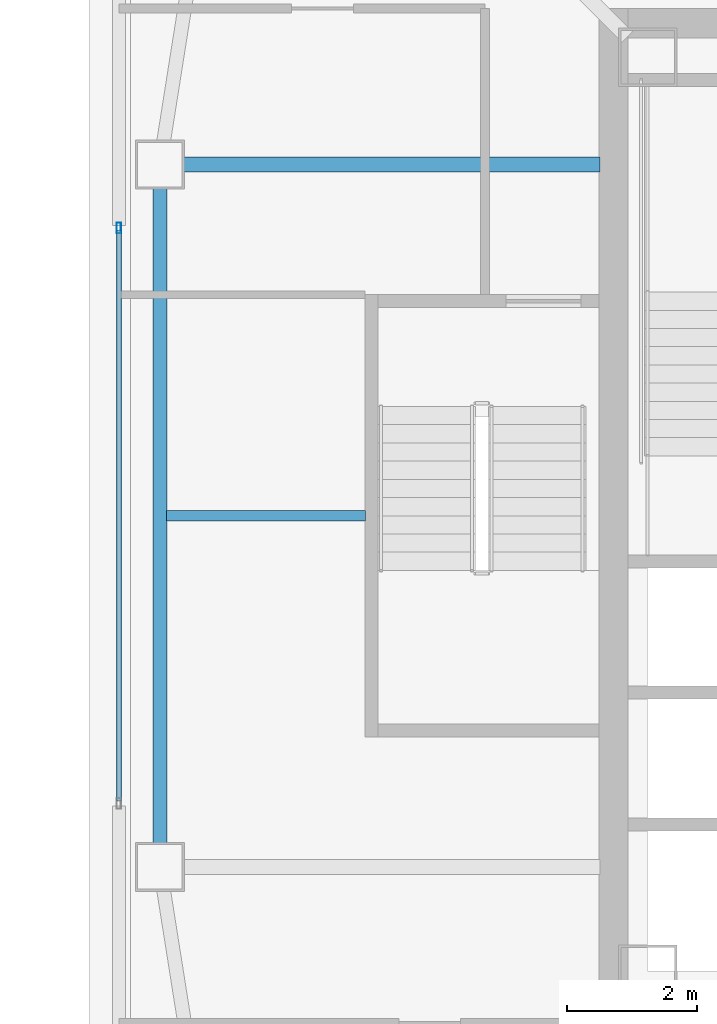
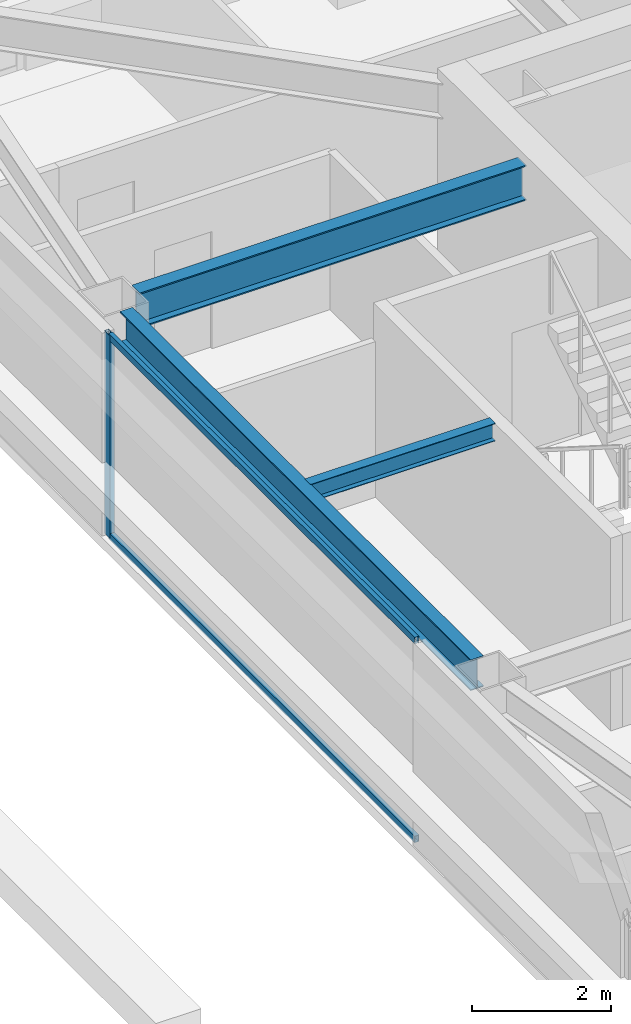
# One storey, part 3 of 31: 3 beams, 3 members, 1 element without a shape of its own.
"""IFC4 building model written with IfcOpenShell, lengths in metres."""

from ifc_helpers import new_model, si_unit, direction, frame, origin, origin_2d, place, context, subcontext, project, spatial, hollow_rectangle, i_section, extrude, material, material_profile, profile_set, type_object, element, aggregate, save


model = new_model("IFC4")

# Units and contexts
model_context = context("Model", 3, precision=1e-05, world=origin(), true_north=direction((0.0, 1.0)))
body_context = subcontext(model_context, "Body", "Model", "MODEL_VIEW")
ifc_project = project(units=[si_unit("LENGTHUNIT", "METRE"), si_unit("AREAUNIT", "SQUARE_METRE"), si_unit("VOLUMEUNIT", "CUBIC_METRE"), si_unit("PLANEANGLEUNIT", "RADIAN"), si_unit("MASSUNIT", "GRAM", prefix="KILO")], contexts=[model_context])

# Site, building, storey
site_placement = place(None, origin())
site = spatial("IfcSite", under=ifc_project, at=site_placement, CompositionType="ELEMENT")
building_placement = place(site_placement, origin())
building = spatial("IfcBuilding", under=site, at=building_placement, Name="Tashvorn Skyway Center", CompositionType="ELEMENT")
storey_placement = place(building_placement, frame((0.0, 0.0, 266.949951171875)))
storey = spatial("IfcBuildingStorey", under=building, at=storey_placement, Name="L72", CompositionType="ELEMENT", Elevation=266.949951171875)

# Beams
ifc_material_1 = material(Name="Steel ASTM A992 Grade 50", Category="steel")
ifc_material_profile_1 = material_profile(ifc_material_1, i_section(OverallWidth=0.22998046875, OverallDepth=0.616943359375, WebThickness=0.01318359375, FlangeThickness=0.022216796875, at=origin_2d()), Name="W24X94")
ifc_profile_set_1 = profile_set([ifc_material_profile_1], Name="Steel ASTM A992 Grade 50")
beam_type_1 = type_object("IfcBeamType", Name="BM-BEAM-W24X94", PredefinedType="BEAM", material=ifc_profile_set_1)
beam_1_placement = place(storey_placement, frame((27.820068359375, 37.39990234375, 3.0615234375), z_axis=(1.0, 0.0, 0.0), x_axis=(0.0, 1.0, 0.0)))
element("IfcBeam", 1, at=beam_1_placement, inside=storey, type_object=beam_type_1, Name="Tower 1 L72 Primary Floor Girder FC-W1", PredefinedType="BEAM", context=body_context, shape_type="SweptSolid", body=[
    extrude(i_section(OverallWidth=0.22998046875, OverallDepth=0.616943359375, WebThickness=0.01318359375, FlangeThickness=0.022216796875, at=origin_2d()), origin(), (0.0, 0.0, 1.0), 6.39990234375),
])
ifc_material_profile_2 = material_profile(ifc_material_1, i_section(OverallWidth=0.1650390625, OverallDepth=0.31005859375, WebThickness=0.005859375, FlangeThickness=0.009765625, at=origin_2d()), Name="W12X26")
ifc_profile_set_2 = profile_set([ifc_material_profile_2], Name="Steel ASTM A992 Grade 50")
beam_type_2 = type_object("IfcBeamType", Name="BM-JOIST-W12X26", PredefinedType="JOIST", material=ifc_profile_set_2)
beam_2_placement = place(storey_placement, frame((30.610107421875, 32.0, 3.215087890625), z_axis=(-1.0, 0.0, 0.0), x_axis=(0.0, -1.0, 0.0)))
element("IfcBeam", 2, at=beam_2_placement, inside=storey, type_object=beam_type_2, Name="Tower 1 L72 Secondary Composite Joist JW", PredefinedType="JOIST", context=body_context, shape_type="SweptSolid", body=[
    extrude(i_section(OverallWidth=0.1650390625, OverallDepth=0.31005859375, WebThickness=0.005859375, FlangeThickness=0.009765625, at=origin_2d()), origin(), (0.0, 0.0, 1.0), 3.0625),
])
ifc_material_profile_3 = material_profile(ifc_material_1, i_section(OverallWidth=0.2109375, OverallDepth=0.5390625, WebThickness=0.01171875, FlangeThickness=0.018798828125, at=origin_2d()), Name="W21X73")
ifc_profile_set_3 = profile_set([ifc_material_profile_3], Name="Steel ASTM A992 Grade 50")
beam_type_3 = type_object("IfcBeamType", Name="BM-SPANDREL-W21X73", PredefinedType="SPANDREL", material=ifc_profile_set_3)
beam_3_placement = place(storey_placement, frame((27.449951171875, 37.030029296875, 3.1005859375), z_axis=(0.0, -1.0, 0.0), x_axis=(1.0, 0.0, 0.0)))
element("IfcBeam", 3, at=beam_3_placement, inside=storey, type_object=beam_type_3, Name="Tower 1 L72 Spandrel Beam 11", PredefinedType="SPANDREL", context=body_context, shape_type="SweptSolid", body=[
    extrude(i_section(OverallWidth=0.2109375, OverallDepth=0.5390625, WebThickness=0.01171875, FlangeThickness=0.018798828125, at=origin_2d()), origin(), (0.0, 0.0, 1.0), 10.06005859375),
])

# Curtain wall, members
ifc_material_2 = material(Name="Thermally broken bronze-anodized aluminium 6063-T6", Category="aluminium")
curtain_wall_type = type_object("IfcCurtainWallType", Name="CW-CW-Z5", PredefinedType="NOTDEFINED", material=ifc_material_2)
curtain_wall_placement = place(storey_placement, origin())
curtain_wall = element("IfcCurtainWall", 4, at=curtain_wall_placement, inside=storey, type_object=curtain_wall_type, Name="Tower 1 L72 West Unitised Curtain Wall Glazing Group 2", PredefinedType="NOTDEFINED")
ifc_material_profile_4 = material_profile(ifc_material_2, hollow_rectangle(XDim=0.070068359375, YDim=0.1650390625, WallThickness=0.00390625, at=origin_2d()), Name="ALU-MULL-70x165")
ifc_profile_set_4 = profile_set([ifc_material_profile_4], Name="Thermally broken bronze-anodized aluminium 6063-T6")
member_type_1 = type_object("IfcMemberType", Name="CWM-CW-Z5", PredefinedType="MULLION", material=ifc_profile_set_4)
member_1_placement = place(storey_placement, frame((26.820068359375, 36.425048828125, 0.0), z_axis=(0.0, 0.0, 1.0), x_axis=(-1.0, 0.0, 0.0)))
member_1 = element("IfcMember", 5, at=member_1_placement, type_object=member_type_1, Name="CW-Z5 mullion 2", PredefinedType="MULLION", context=body_context, shape_type="SweptSolid", body=[
    extrude(hollow_rectangle(XDim=0.070068359375, YDim=0.1650390625, WallThickness=0.00390625, at=origin_2d()), origin(), (0.0, 0.0, 1.0), 3.550048828125),
])
ifc_material_profile_5 = material_profile(ifc_material_2, hollow_rectangle(XDim=0.070068359375, YDim=0.114990234375, WallThickness=0.00390625, at=origin_2d()), Name="ALU-TRAN-70x115")
ifc_profile_set_5 = profile_set([ifc_material_profile_5], Name="Thermally broken bronze-anodized aluminium 6063-T6")
member_type_2 = type_object("IfcMemberType", Name="CWT-CW-Z5", PredefinedType="USERDEFINED", material=ifc_profile_set_5)
member_2_placement = place(storey_placement, frame((26.820068359375, 27.610107421875, 0.03515625), z_axis=(0.0, 1.0, 0.0), x_axis=(-1.0, 0.0, 0.0)))
member_2 = element("IfcMember", 6, at=member_2_placement, type_object=member_type_2, Name="CW-Z5 transom 1.1", ObjectType="TRANSOM", PredefinedType="USERDEFINED", context=body_context, shape_type="SweptSolid", body=[
    extrude(hollow_rectangle(XDim=0.070068359375, YDim=0.114990234375, WallThickness=0.00390625, at=origin_2d()), origin(), (0.0, 0.0, 1.0), 8.77978515625),
])
member_3_placement = place(storey_placement, frame((26.820068359375, 27.610107421875, 3.51513671875), z_axis=(0.0, 1.0, 0.0), x_axis=(-1.0, 0.0, 0.0)))
member_3 = element("IfcMember", 7, at=member_3_placement, type_object=member_type_2, Name="CW-Z5 transom 1.2", ObjectType="TRANSOM", PredefinedType="USERDEFINED", context=body_context, shape_type="SweptSolid", body=[
    extrude(hollow_rectangle(XDim=0.070068359375, YDim=0.114990234375, WallThickness=0.00390625, at=origin_2d()), origin(), (0.0, 0.0, 1.0), 8.77978515625),
])
aggregate(curtain_wall, [member_1, member_2, member_3])

save(model, "model.ifc")
